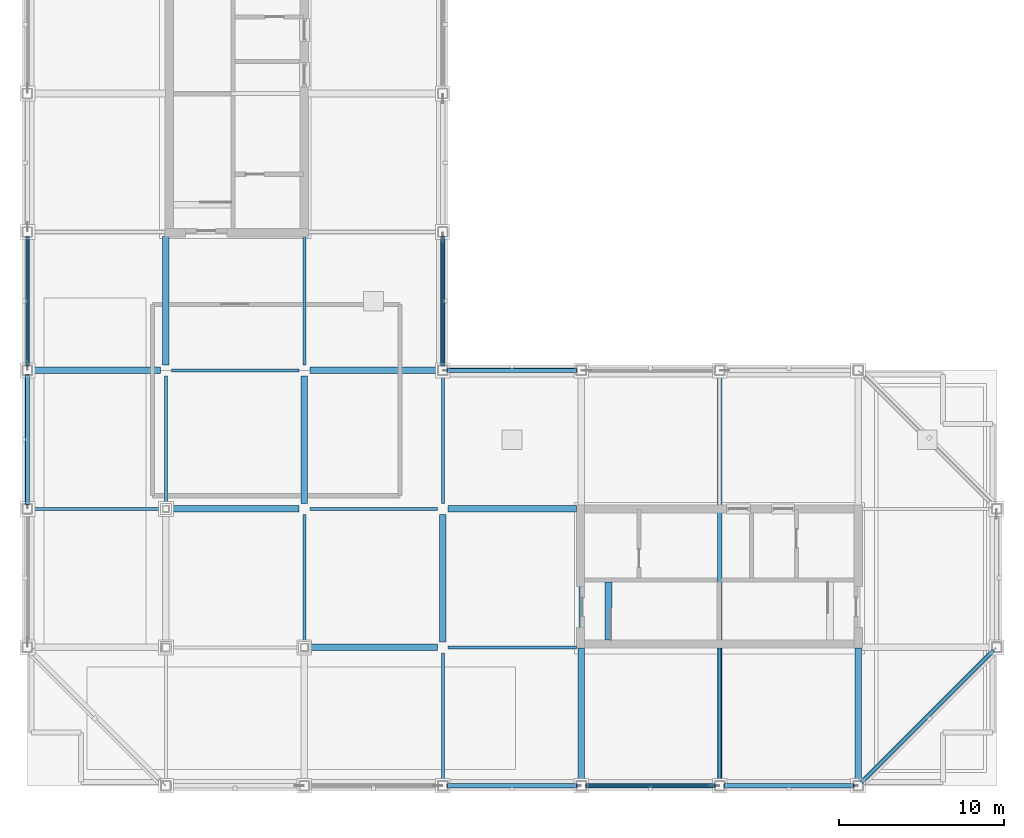
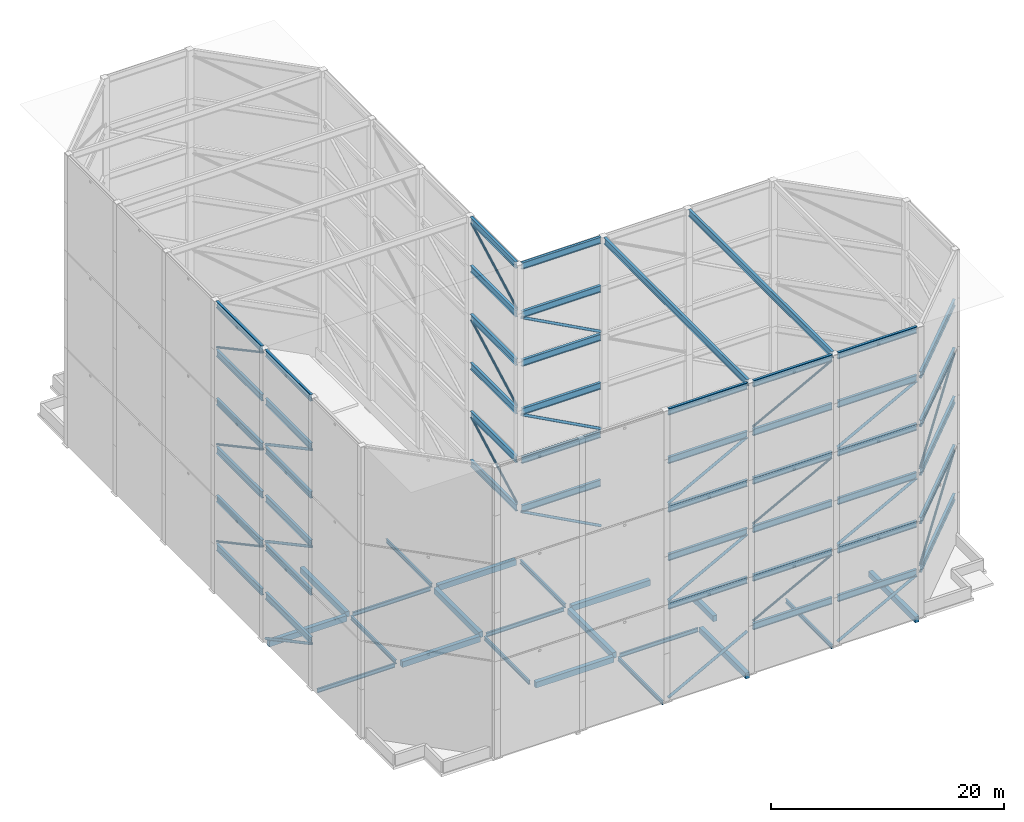
# One storey, part 4 of 17: 69 beams, 23 members.
"""IFC4 building model written with IfcOpenShell, lengths in metres."""

from ifc_helpers import new_model, si_unit, direction, frame, origin, origin_2d, place, context, subcontext, project, spatial, rectangle, hollow_circle, i_section, extrude, material, material_profile, profile_set, type_object, element, save


model = new_model("IFC4")

# Units and contexts
model_context = context("Model", 3, precision=1e-05, world=origin(), true_north=direction((0.0, 1.0)))
body_context = subcontext(model_context, "Body", "Model", "MODEL_VIEW")
ifc_project = project(units=[si_unit("LENGTHUNIT", "METRE"), si_unit("AREAUNIT", "SQUARE_METRE"), si_unit("VOLUMEUNIT", "CUBIC_METRE"), si_unit("PLANEANGLEUNIT", "RADIAN"), si_unit("MASSUNIT", "GRAM", prefix="KILO")], contexts=[model_context])

# Site, building, storey
site_placement = place(None, origin())
site = spatial("IfcSite", under=ifc_project, at=site_placement, CompositionType="ELEMENT")
building_placement = place(site_placement, origin())
building = spatial("IfcBuilding", under=site, at=building_placement, Name="Koriwani Terraces Tower", CompositionType="ELEMENT")
storey_placement = place(building_placement, frame((0.0, 0.0, 374.0)))
storey = spatial("IfcBuildingStorey", under=building, at=storey_placement, Name="RF", CompositionType="ELEMENT", Elevation=374.0)

# Beams
ifc_material_1 = material(Name="Concrete C40/50", Category="concrete")
ifc_material_profile_1 = material_profile(ifc_material_1, rectangle(XDim=0.39990234375, YDim=0.60009765625, at=origin_2d()), Name="Concrete C40/50", Category="LoadBearing")
ifc_profile_set_1 = profile_set([ifc_material_profile_1], Name="Concrete C40/50")
beam_type_1 = type_object("IfcBeamType", Name="BEAM_RC_GRID_400X600", PredefinedType="BEAM", material=ifc_profile_set_1)
beam_1_placement = place(storey_placement, frame((43.655029296875, 17.25, -0.300048828125), z_axis=(0.0, 1.0, 0.0), x_axis=(-1.0, 0.0, 0.0)))
element("IfcBeam", 1, at=beam_1_placement, inside=storey, type_object=beam_type_1, Name="RF Stairwell Header Trimmer Beam ST-E1", PredefinedType="BEAM", context=body_context, shape_type="SweptSolid", body=[
    extrude(rectangle(XDim=0.39990234375, YDim=0.60009765625, at=origin_2d()), origin(), (0.0, 0.0, 1.0), 3.5),
])
beam_2_placement = place(storey_placement, frame((25.530029296875, 16.800048828125, -0.580078125), z_axis=(1.0, 0.0, 0.0), x_axis=(0.0, 1.0, 0.0)))
element("IfcBeam", 2, at=beam_2_placement, inside=storey, type_object=beam_type_1, Name="RF Grid Beam C (25.2-33.6m)", PredefinedType="BEAM", context=body_context, shape_type="SweptSolid", body=[
    extrude(rectangle(XDim=0.39990234375, YDim=0.60009765625, at=origin_2d()), origin(), (0.0, 0.0, 1.0), 7.739990234375),
])
beam_3_placement = place(storey_placement, frame((17.1298828125, 25.199951171875, -0.580078125), z_axis=(1.0, 0.0, 0.0), x_axis=(0.0, 1.0, 0.0)))
element("IfcBeam", 3, at=beam_3_placement, inside=storey, type_object=beam_type_1, Name="RF Grid Beam D (16.8-25.2m)", PredefinedType="BEAM", context=body_context, shape_type="SweptSolid", body=[
    extrude(rectangle(XDim=0.39990234375, YDim=0.60009765625, at=origin_2d()), origin(), (0.0, 0.0, 1.0), 7.740234375),
])
beam_4_placement = place(storey_placement, frame((33.929931640625, 25.199951171875, -0.580078125), z_axis=(1.0, 0.0, 0.0), x_axis=(0.0, 1.0, 0.0)))
element("IfcBeam", 4, at=beam_4_placement, inside=storey, type_object=beam_type_1, Name="RF Grid Beam D (33.6-42.0m)", PredefinedType="BEAM", context=body_context, shape_type="SweptSolid", body=[
    extrude(rectangle(XDim=0.39990234375, YDim=0.60009765625, at=origin_2d()), origin(), (0.0, 0.0, 1.0), 7.7900390625),
])
beam_5_placement = place(storey_placement, frame((8.780029296875, 33.60009765625, -0.580078125), z_axis=(1.0, 0.0, 0.0), x_axis=(0.0, 1.0, 0.0)))
element("IfcBeam", 5, at=beam_5_placement, inside=storey, type_object=beam_type_1, Name="RF Grid Beam E (8.4-16.8m)", PredefinedType="BEAM", context=body_context, shape_type="SweptSolid", body=[
    extrude(rectangle(XDim=0.39990234375, YDim=0.60009765625, at=origin_2d()), origin(), (0.0, 0.0, 1.0), 7.68994140625),
])
beam_6_placement = place(storey_placement, frame((25.530029296875, 33.60009765625, -0.580078125), z_axis=(1.0, 0.0, 0.0), x_axis=(0.0, 1.0, 0.0)))
element("IfcBeam", 6, at=beam_6_placement, inside=storey, type_object=beam_type_1, Name="RF Grid Beam E (25.2-33.6m)", PredefinedType="BEAM", context=body_context, shape_type="SweptSolid", body=[
    extrude(rectangle(XDim=0.39990234375, YDim=0.60009765625, at=origin_2d()), origin(), (0.0, 0.0, 1.0), 7.739990234375),
])
beam_7_placement = place(storey_placement, frame((16.800048828125, 33.929931640625, -0.580078125), z_axis=(0.0, 1.0, 0.0), x_axis=(-1.0, 0.0, 0.0)))
element("IfcBeam", 7, at=beam_7_placement, inside=storey, type_object=beam_type_1, Name="RF Grid Beam 3 (33.6-42.0m)", PredefinedType="BEAM", context=body_context, shape_type="SweptSolid", body=[
    extrude(rectangle(XDim=0.39990234375, YDim=0.60009765625, at=origin_2d()), origin(), (0.0, 0.0, 1.0), 7.7900390625),
])
beam_8_placement = place(storey_placement, frame((25.199951171875, 25.530029296875, -0.580078125), z_axis=(0.0, 1.0, 0.0), x_axis=(-1.0, 0.0, 0.0)))
element("IfcBeam", 8, at=beam_8_placement, inside=storey, type_object=beam_type_1, Name="RF Grid Beam 4 (25.2-33.6m)", PredefinedType="BEAM", context=body_context, shape_type="SweptSolid", body=[
    extrude(rectangle(XDim=0.39990234375, YDim=0.60009765625, at=origin_2d()), origin(), (0.0, 0.0, 1.0), 7.739990234375),
])
beam_9_placement = place(storey_placement, frame((33.60009765625, 17.1298828125, -0.580078125), z_axis=(0.0, 1.0, 0.0), x_axis=(-1.0, 0.0, 0.0)))
element("IfcBeam", 9, at=beam_9_placement, inside=storey, type_object=beam_type_1, Name="RF Grid Beam 5 (16.8-25.2m)", PredefinedType="BEAM", context=body_context, shape_type="SweptSolid", body=[
    extrude(rectangle(XDim=0.39990234375, YDim=0.60009765625, at=origin_2d()), origin(), (0.0, 0.0, 1.0), 7.740234375),
])
for number, where, z_axis, x_axis, name in (
    (10, (42.0, 8.780029296875, -0.580078125), (0.0, 1.0, 0.0), (-1.0, 0.0, 0.0), "RF Grid Beam 6 (8.4-16.8m)"),
    (11, (58.800048828125, 8.780029296875, -0.580078125), (0.0, 1.0, 0.0), (-1.0, 0.0, 0.0), "RF Grid Beam 8 (8.4-16.8m)"),
):
    element("IfcBeam", number, at=place(storey_placement, frame(where, z_axis=z_axis, x_axis=x_axis)), inside=storey, type_object=beam_type_1, Name=name, PredefinedType="BEAM", context=body_context, shape_type="SweptSolid", body=[
        extrude(rectangle(XDim=0.39990234375, YDim=0.60009765625, at=origin_2d()), origin(), (0.0, 0.0, 1.0), 7.989990234375),
    ])
ifc_material_2 = material(Name="Steel ASTM A572 Grade 50", Category="steel")
ifc_material_profile_2 = material_profile(ifc_material_2, i_section(OverallWidth=0.256103515625, OverallDepth=0.693115234375, WebThickness=0.014404296875, FlangeThickness=0.023681640625, at=origin_2d()), Name="Steel ASTM A572 Grade 50", Category="LoadBearing")
ifc_profile_set_2 = profile_set([ifc_material_profile_2], Name="Steel ASTM A572 Grade 50")
beam_type_2 = type_object("IfcBeamType", Name="CROWN_FRAME_BEAM_W690X170", PredefinedType="USERDEFINED", material=ifc_profile_set_2)
for number, where, z_axis, x_axis, name in (
    (12, (33.8798828125, 8.39990234375, 20.013427734375), (1.0, 0.0, 0.0), (0.0, 1.0, 0.0), "CROWN FRAME Tier 4 Ring Beam S03"),
    (13, (42.280029296875, 8.39990234375, 20.013427734375), (1.0, 0.0, 0.0), (0.0, 1.0, 0.0), "CROWN FRAME Tier 4 Ring Beam S04"),
    (14, (50.679931640625, 8.39990234375, 20.013427734375), (1.0, 0.0, 0.0), (0.0, 1.0, 0.0), "CROWN FRAME Tier 4 Ring Beam S05"),
):
    element("IfcBeam", number, at=place(storey_placement, frame(where, z_axis=z_axis, x_axis=x_axis)), inside=storey, type_object=beam_type_2, Name=name, ObjectType="CROWN FRAME", PredefinedType="USERDEFINED", context=body_context, shape_type="SweptSolid", body=[
        extrude(i_section(OverallWidth=0.256103515625, OverallDepth=0.693115234375, WebThickness=0.014404296875, FlangeThickness=0.023681640625, at=origin_2d()), origin(), (0.0, 0.0, 1.0), 7.840087890625),
    ])
beam_10_placement = place(storey_placement, frame((58.998046875, 8.597900390625, 20.013427734375), z_axis=(0.707095996941, 0.707117565267, 0.0), x_axis=(-0.707117565267, 0.707095996941, 0.0)))
element("IfcBeam", 15, at=beam_10_placement, inside=storey, type_object=beam_type_2, Name="CROWN FRAME Tier 4 Ring Beam S06", ObjectType="CROWN FRAME", PredefinedType="USERDEFINED", context=body_context, shape_type="SweptSolid", body=[
    extrude(i_section(OverallWidth=0.256103515625, OverallDepth=0.693115234375, WebThickness=0.014404296875, FlangeThickness=0.023681640625, at=origin_2d()), origin(), (0.0, 0.0, 1.0), 11.3193359375),
])
for number, where, z_axis, x_axis, name in (
    (16, (41.719970703125, 33.60009765625, 20.013427734375), (-1.0, 0.0, 0.0), (0.0, -1.0, 0.0), "CROWN FRAME Tier 4 Ring Beam S11"),
    (17, (33.60009765625, 33.8798828125, 20.013427734375), (0.0, 1.0, 0.0), (-1.0, 0.0, 0.0), "CROWN FRAME Tier 4 Ring Beam S12"),
    (18, (8.39990234375, 41.719970703125, 20.013427734375), (0.0, -1.0, 0.0), (1.0, 0.0, 0.0), "CROWN FRAME Tier 4 Ring Beam S22"),
    (19, (8.39990234375, 33.320068359375, 20.013427734375), (0.0, -1.0, 0.0), (1.0, 0.0, 0.0), "CROWN FRAME Tier 4 Ring Beam S23"),
    (20, (33.8798828125, 8.39990234375, 25.103515625), (1.0, 0.0, 0.0), (0.0, 1.0, 0.0), "CROWN FRAME Tier 5 Ring Beam S03"),
    (21, (42.280029296875, 8.39990234375, 25.103515625), (1.0, 0.0, 0.0), (0.0, 1.0, 0.0), "CROWN FRAME Tier 5 Ring Beam S04"),
    (22, (50.679931640625, 8.39990234375, 25.103515625), (1.0, 0.0, 0.0), (0.0, 1.0, 0.0), "CROWN FRAME Tier 5 Ring Beam S05"),
):
    element("IfcBeam", number, at=place(storey_placement, frame(where, z_axis=z_axis, x_axis=x_axis)), inside=storey, type_object=beam_type_2, Name=name, ObjectType="CROWN FRAME", PredefinedType="USERDEFINED", context=body_context, shape_type="SweptSolid", body=[
        extrude(i_section(OverallWidth=0.256103515625, OverallDepth=0.693115234375, WebThickness=0.014404296875, FlangeThickness=0.023681640625, at=origin_2d()), origin(), (0.0, 0.0, 1.0), 7.840087890625),
    ])
beam_11_placement = place(storey_placement, frame((58.998046875, 8.597900390625, 25.103515625), z_axis=(0.707095996941, 0.707117565267, 0.0), x_axis=(-0.707117565267, 0.707095996941, 0.0)))
element("IfcBeam", 23, at=beam_11_placement, inside=storey, type_object=beam_type_2, Name="CROWN FRAME Tier 5 Ring Beam S06", ObjectType="CROWN FRAME", PredefinedType="USERDEFINED", context=body_context, shape_type="SweptSolid", body=[
    extrude(i_section(OverallWidth=0.256103515625, OverallDepth=0.693115234375, WebThickness=0.014404296875, FlangeThickness=0.023681640625, at=origin_2d()), origin(), (0.0, 0.0, 1.0), 11.3193359375),
])
for number, where, z_axis, x_axis, name in (
    (24, (41.719970703125, 33.60009765625, 25.103515625), (-1.0, 0.0, 0.0), (0.0, -1.0, 0.0), "CROWN FRAME Tier 5 Ring Beam S11"),
    (25, (33.60009765625, 33.8798828125, 25.103515625), (0.0, 1.0, 0.0), (-1.0, 0.0, 0.0), "CROWN FRAME Tier 5 Ring Beam S12"),
    (26, (8.39990234375, 41.719970703125, 25.103515625), (0.0, -1.0, 0.0), (1.0, 0.0, 0.0), "CROWN FRAME Tier 5 Ring Beam S22"),
    (27, (8.39990234375, 33.320068359375, 25.103515625), (0.0, -1.0, 0.0), (1.0, 0.0, 0.0), "CROWN FRAME Tier 5 Ring Beam S23"),
    (28, (33.8798828125, 8.39990234375, 30.193603515625), (1.0, 0.0, 0.0), (0.0, 1.0, 0.0), "CROWN FRAME Tier 6 Ring Beam S03"),
    (29, (42.280029296875, 8.39990234375, 30.193603515625), (1.0, 0.0, 0.0), (0.0, 1.0, 0.0), "CROWN FRAME Tier 6 Ring Beam S04"),
    (30, (50.679931640625, 8.39990234375, 30.193603515625), (1.0, 0.0, 0.0), (0.0, 1.0, 0.0), "CROWN FRAME Tier 6 Ring Beam S05"),
    (31, (41.719970703125, 33.60009765625, 30.193603515625), (-1.0, 0.0, 0.0), (0.0, -1.0, 0.0), "CROWN FRAME Tier 6 Ring Beam S11"),
    (32, (33.60009765625, 33.8798828125, 30.193603515625), (0.0, 1.0, 0.0), (-1.0, 0.0, 0.0), "CROWN FRAME Tier 6 Ring Beam S12"),
    (33, (8.39990234375, 41.719970703125, 30.193603515625), (0.0, -1.0, 0.0), (1.0, 0.0, 0.0), "CROWN FRAME Tier 6 Ring Beam S22"),
    (34, (8.39990234375, 33.320068359375, 30.193603515625), (0.0, -1.0, 0.0), (1.0, 0.0, 0.0), "CROWN FRAME Tier 6 Ring Beam S23"),
):
    element("IfcBeam", number, at=place(storey_placement, frame(where, z_axis=z_axis, x_axis=x_axis)), inside=storey, type_object=beam_type_2, Name=name, ObjectType="CROWN FRAME", PredefinedType="USERDEFINED", context=body_context, shape_type="SweptSolid", body=[
        extrude(i_section(OverallWidth=0.256103515625, OverallDepth=0.693115234375, WebThickness=0.014404296875, FlangeThickness=0.023681640625, at=origin_2d()), origin(), (0.0, 0.0, 1.0), 7.840087890625),
    ])
ifc_material_profile_3 = material_profile(ifc_material_2, i_section(OverallWidth=0.2548828125, OverallDepth=0.695068359375, WebThickness=0.015380859375, FlangeThickness=0.02490234375, at=origin_2d()), Name="Steel ASTM A572 Grade 50", Category="LoadBearing")
ifc_profile_set_3 = profile_set([ifc_material_profile_3], Name="Steel ASTM A572 Grade 50")
beam_type_3 = type_object("IfcBeamType", Name="CROWN_FRAME_BEAM_W690X217", PredefinedType="USERDEFINED", material=ifc_profile_set_3)
for number, where, z_axis, x_axis, name in (
    (35, (42.280029296875, 8.39990234375, 4.742431640625), (1.0, 0.0, 0.0), (0.0, 1.0, 0.0), "CROWN FRAME Tier 1 Ring Beam S04"),
    (36, (50.679931640625, 8.39990234375, 4.742431640625), (1.0, 0.0, 0.0), (0.0, 1.0, 0.0), "CROWN FRAME Tier 1 Ring Beam S05"),
):
    element("IfcBeam", number, at=place(storey_placement, frame(where, z_axis=z_axis, x_axis=x_axis)), inside=storey, type_object=beam_type_3, Name=name, ObjectType="CROWN FRAME", PredefinedType="USERDEFINED", context=body_context, shape_type="SweptSolid", body=[
        extrude(i_section(OverallWidth=0.2548828125, OverallDepth=0.695068359375, WebThickness=0.015380859375, FlangeThickness=0.02490234375, at=origin_2d()), origin(), (0.0, 0.0, 1.0), 7.840087890625),
    ])
beam_12_placement = place(storey_placement, frame((58.998046875, 8.597900390625, 4.742431640625), z_axis=(0.707095996941, 0.707117565267, 0.0), x_axis=(-0.707117565267, 0.707095996941, 0.0)))
element("IfcBeam", 37, at=beam_12_placement, inside=storey, type_object=beam_type_3, Name="CROWN FRAME Tier 1 Ring Beam S06", ObjectType="CROWN FRAME", PredefinedType="USERDEFINED", context=body_context, shape_type="SweptSolid", body=[
    extrude(i_section(OverallWidth=0.2548828125, OverallDepth=0.695068359375, WebThickness=0.015380859375, FlangeThickness=0.02490234375, at=origin_2d()), origin(), (0.0, 0.0, 1.0), 11.3193359375),
])
for number, where, z_axis, x_axis, name in (
    (38, (41.719970703125, 33.60009765625, 4.742431640625), (-1.0, 0.0, 0.0), (0.0, -1.0, 0.0), "CROWN FRAME Tier 1 Ring Beam S11"),
    (39, (33.60009765625, 33.8798828125, 4.742431640625), (0.0, 1.0, 0.0), (-1.0, 0.0, 0.0), "CROWN FRAME Tier 1 Ring Beam S12"),
    (40, (8.39990234375, 41.719970703125, 4.742431640625), (0.0, -1.0, 0.0), (1.0, 0.0, 0.0), "CROWN FRAME Tier 1 Ring Beam S22"),
    (41, (8.39990234375, 33.320068359375, 4.742431640625), (0.0, -1.0, 0.0), (1.0, 0.0, 0.0), "CROWN FRAME Tier 1 Ring Beam S23"),
    (42, (33.8798828125, 8.39990234375, 9.83251953125), (1.0, 0.0, 0.0), (0.0, 1.0, 0.0), "CROWN FRAME Tier 2 Ring Beam S03"),
    (43, (42.280029296875, 8.39990234375, 9.83251953125), (1.0, 0.0, 0.0), (0.0, 1.0, 0.0), "CROWN FRAME Tier 2 Ring Beam S04"),
    (44, (50.679931640625, 8.39990234375, 9.83251953125), (1.0, 0.0, 0.0), (0.0, 1.0, 0.0), "CROWN FRAME Tier 2 Ring Beam S05"),
):
    element("IfcBeam", number, at=place(storey_placement, frame(where, z_axis=z_axis, x_axis=x_axis)), inside=storey, type_object=beam_type_3, Name=name, ObjectType="CROWN FRAME", PredefinedType="USERDEFINED", context=body_context, shape_type="SweptSolid", body=[
        extrude(i_section(OverallWidth=0.2548828125, OverallDepth=0.695068359375, WebThickness=0.015380859375, FlangeThickness=0.02490234375, at=origin_2d()), origin(), (0.0, 0.0, 1.0), 7.840087890625),
    ])
beam_13_placement = place(storey_placement, frame((58.998046875, 8.597900390625, 9.83251953125), z_axis=(0.707095996941, 0.707117565267, 0.0), x_axis=(-0.707117565267, 0.707095996941, 0.0)))
element("IfcBeam", 45, at=beam_13_placement, inside=storey, type_object=beam_type_3, Name="CROWN FRAME Tier 2 Ring Beam S06", ObjectType="CROWN FRAME", PredefinedType="USERDEFINED", context=body_context, shape_type="SweptSolid", body=[
    extrude(i_section(OverallWidth=0.2548828125, OverallDepth=0.695068359375, WebThickness=0.015380859375, FlangeThickness=0.02490234375, at=origin_2d()), origin(), (0.0, 0.0, 1.0), 11.3193359375),
])
for number, where, z_axis, x_axis, name in (
    (46, (41.719970703125, 33.60009765625, 9.83251953125), (-1.0, 0.0, 0.0), (0.0, -1.0, 0.0), "CROWN FRAME Tier 2 Ring Beam S11"),
    (47, (33.60009765625, 33.8798828125, 9.83251953125), (0.0, 1.0, 0.0), (-1.0, 0.0, 0.0), "CROWN FRAME Tier 2 Ring Beam S12"),
    (48, (8.39990234375, 41.719970703125, 9.83251953125), (0.0, -1.0, 0.0), (1.0, 0.0, 0.0), "CROWN FRAME Tier 2 Ring Beam S22"),
    (49, (8.39990234375, 33.320068359375, 9.83251953125), (0.0, -1.0, 0.0), (1.0, 0.0, 0.0), "CROWN FRAME Tier 2 Ring Beam S23"),
    (50, (33.8798828125, 8.39990234375, 14.922607421875), (1.0, 0.0, 0.0), (0.0, 1.0, 0.0), "CROWN FRAME Tier 3 Ring Beam S03"),
    (51, (42.280029296875, 8.39990234375, 14.922607421875), (1.0, 0.0, 0.0), (0.0, 1.0, 0.0), "CROWN FRAME Tier 3 Ring Beam S04"),
    (52, (50.679931640625, 8.39990234375, 14.922607421875), (1.0, 0.0, 0.0), (0.0, 1.0, 0.0), "CROWN FRAME Tier 3 Ring Beam S05"),
):
    element("IfcBeam", number, at=place(storey_placement, frame(where, z_axis=z_axis, x_axis=x_axis)), inside=storey, type_object=beam_type_3, Name=name, ObjectType="CROWN FRAME", PredefinedType="USERDEFINED", context=body_context, shape_type="SweptSolid", body=[
        extrude(i_section(OverallWidth=0.2548828125, OverallDepth=0.695068359375, WebThickness=0.015380859375, FlangeThickness=0.02490234375, at=origin_2d()), origin(), (0.0, 0.0, 1.0), 7.840087890625),
    ])
beam_14_placement = place(storey_placement, frame((58.998046875, 8.597900390625, 14.922607421875), z_axis=(0.707095996941, 0.707117565267, 0.0), x_axis=(-0.707117565267, 0.707095996941, 0.0)))
element("IfcBeam", 53, at=beam_14_placement, inside=storey, type_object=beam_type_3, Name="CROWN FRAME Tier 3 Ring Beam S06", ObjectType="CROWN FRAME", PredefinedType="USERDEFINED", context=body_context, shape_type="SweptSolid", body=[
    extrude(i_section(OverallWidth=0.2548828125, OverallDepth=0.695068359375, WebThickness=0.015380859375, FlangeThickness=0.02490234375, at=origin_2d()), origin(), (0.0, 0.0, 1.0), 11.3193359375),
])
for number, where, z_axis, x_axis, name in (
    (54, (41.719970703125, 33.60009765625, 14.922607421875), (-1.0, 0.0, 0.0), (0.0, -1.0, 0.0), "CROWN FRAME Tier 3 Ring Beam S11"),
    (55, (33.60009765625, 33.8798828125, 14.922607421875), (0.0, 1.0, 0.0), (-1.0, 0.0, 0.0), "CROWN FRAME Tier 3 Ring Beam S12"),
    (56, (8.39990234375, 41.719970703125, 14.922607421875), (0.0, -1.0, 0.0), (1.0, 0.0, 0.0), "CROWN FRAME Tier 3 Ring Beam S22"),
    (57, (8.39990234375, 33.320068359375, 14.922607421875), (0.0, -1.0, 0.0), (1.0, 0.0, 0.0), "CROWN FRAME Tier 3 Ring Beam S23"),
):
    element("IfcBeam", number, at=place(storey_placement, frame(where, z_axis=z_axis, x_axis=x_axis)), inside=storey, type_object=beam_type_3, Name=name, ObjectType="CROWN FRAME", PredefinedType="USERDEFINED", context=body_context, shape_type="SweptSolid", body=[
        extrude(i_section(OverallWidth=0.2548828125, OverallDepth=0.695068359375, WebThickness=0.015380859375, FlangeThickness=0.02490234375, at=origin_2d()), origin(), (0.0, 0.0, 1.0), 7.840087890625),
    ])
for number, where, z_axis, x_axis, name in (
    (58, (42.0, 8.679931640625, 30.1923828125), (0.0, 1.0, 0.0), (-1.0, 0.0, 0.0), "CROWN FRAME Cap Roof Tie Girder X=42.0m"),
    (59, (50.39990234375, 8.679931640625, 30.1923828125), (0.0, 1.0, 0.0), (-1.0, 0.0, 0.0), "CROWN FRAME Cap Roof Tie Girder X=50.4m"),
):
    element("IfcBeam", number, at=place(storey_placement, frame(where, z_axis=z_axis, x_axis=x_axis)), inside=storey, type_object=beam_type_3, Name=name, ObjectType="CROWN FRAME", PredefinedType="USERDEFINED", context=body_context, shape_type="SweptSolid", body=[
        extrude(i_section(OverallWidth=0.2548828125, OverallDepth=0.695068359375, WebThickness=0.015380859375, FlangeThickness=0.02490234375, at=origin_2d()), origin(), (0.0, 0.0, 1.0), 24.64013671875),
    ])

# Members
ifc_material_profile_4 = material_profile(ifc_material_2, hollow_circle(Radius=0.109619140625, WallThickness=0.008056640625, at=origin_2d()), Name="Steel ASTM A572 Grade 50", Category="LoadBearing")
ifc_profile_set_4 = profile_set([ifc_material_profile_4], Name="Steel ASTM A572 Grade 50")
member_type_1 = type_object("IfcMemberType", Name="CROWN_FRAME_BRACE_CHS219X8", PredefinedType="USERDEFINED", material=ifc_profile_set_4)
member_1_placement = place(storey_placement, frame((42.280029296875, 8.39990234375, 5.2900390625), z_axis=(0.880787078054, 0.0, 0.473512537462), x_axis=(0.0, 1.0, 0.0)))
element("IfcMember", 60, at=member_1_placement, inside=storey, type_object=member_type_1, Name="CROWN FRAME Tier 2 Diagonal Brace S04", ObjectType="CROWN FRAME", PredefinedType="USERDEFINED", context=body_context, shape_type="SweptSolid", body=[
    extrude(hollow_circle(Radius=0.109619140625, WallThickness=0.008056640625, at=origin_2d()), origin(), (0.0, 0.0, 1.0), 8.901123046875),
])
member_2_placement = place(storey_placement, frame((58.998046875, 8.597900390625, 5.2900390625), z_axis=(0.66264893706, 0.662669149631, 0.348949830692), x_axis=(-0.707117565267, 0.707095996941, 0.0)))
element("IfcMember", 61, at=member_2_placement, inside=storey, type_object=member_type_1, Name="CROWN FRAME Tier 2 Diagonal Brace S06", ObjectType="CROWN FRAME", PredefinedType="USERDEFINED", context=body_context, shape_type="SweptSolid", body=[
    extrude(hollow_circle(Radius=0.109619140625, WallThickness=0.008056640625, at=origin_2d()), origin(), (0.0, 0.0, 1.0), 12.07861328125),
])
for number, where, z_axis, x_axis, name in (
    (62, (33.60009765625, 33.8798828125, 5.2900390625), (0.0, 0.880787078054, 0.473512537462), (-1.0, 0.0, 0.0), "CROWN FRAME Tier 2 Diagonal Brace S12"),
    (63, (8.39990234375, 41.719970703125, 5.2900390625), (0.0, -0.880787078054, 0.473512537462), (1.0, 0.0, 0.0), "CROWN FRAME Tier 2 Diagonal Brace S22"),
):
    element("IfcMember", number, at=place(storey_placement, frame(where, z_axis=z_axis, x_axis=x_axis)), inside=storey, type_object=member_type_1, Name=name, ObjectType="CROWN FRAME", PredefinedType="USERDEFINED", context=body_context, shape_type="SweptSolid", body=[
        extrude(hollow_circle(Radius=0.109619140625, WallThickness=0.008056640625, at=origin_2d()), origin(), (0.0, 0.0, 1.0), 8.901123046875),
    ])
member_3_placement = place(storey_placement, frame((42.280029296875, 8.39990234375, 15.469970703125), z_axis=(0.880684117229, 0.0, 0.47370400638), x_axis=(0.0, 1.0, 0.0)))
element("IfcMember", 64, at=member_3_placement, inside=storey, type_object=member_type_1, Name="CROWN FRAME Tier 4 Diagonal Brace S04", ObjectType="CROWN FRAME", PredefinedType="USERDEFINED", context=body_context, shape_type="SweptSolid", body=[
    extrude(hollow_circle(Radius=0.109619140625, WallThickness=0.008056640625, at=origin_2d()), origin(), (0.0, 0.0, 1.0), 8.90234375),
])
member_4_placement = place(storey_placement, frame((58.998046875, 8.597900390625, 15.469970703125), z_axis=(0.662606866102, 0.66262707739, 0.349109577788), x_axis=(-0.707117565267, 0.707095996941, 0.0)))
element("IfcMember", 65, at=member_4_placement, inside=storey, type_object=member_type_1, Name="CROWN FRAME Tier 4 Diagonal Brace S06", ObjectType="CROWN FRAME", PredefinedType="USERDEFINED", context=body_context, shape_type="SweptSolid", body=[
    extrude(hollow_circle(Radius=0.109619140625, WallThickness=0.008056640625, at=origin_2d()), origin(), (0.0, 0.0, 1.0), 12.079345703125),
])
for number, where, z_axis, x_axis, name in (
    (66, (33.60009765625, 33.8798828125, 15.469970703125), (0.0, 0.880684117229, 0.47370400638), (-1.0, 0.0, 0.0), "CROWN FRAME Tier 4 Diagonal Brace S12"),
    (67, (8.39990234375, 41.719970703125, 15.469970703125), (0.0, -0.880684117229, 0.47370400638), (1.0, 0.0, 0.0), "CROWN FRAME Tier 4 Diagonal Brace S22"),
    (68, (42.280029296875, 8.39990234375, 25.64990234375), (0.880684117229, 0.0, 0.47370400638), (0.0, 1.0, 0.0), "CROWN FRAME Tier 6 Diagonal Brace S04"),
    (69, (33.60009765625, 33.8798828125, 25.64990234375), (0.0, 0.880684117229, 0.47370400638), (-1.0, 0.0, 0.0), "CROWN FRAME Tier 6 Diagonal Brace S12"),
    (70, (8.39990234375, 41.719970703125, 25.64990234375), (0.0, -0.880684117229, 0.47370400638), (1.0, 0.0, 0.0), "CROWN FRAME Tier 6 Diagonal Brace S22"),
):
    element("IfcMember", number, at=place(storey_placement, frame(where, z_axis=z_axis, x_axis=x_axis)), inside=storey, type_object=member_type_1, Name=name, ObjectType="CROWN FRAME", PredefinedType="USERDEFINED", context=body_context, shape_type="SweptSolid", body=[
        extrude(hollow_circle(Radius=0.109619140625, WallThickness=0.008056640625, at=origin_2d()), origin(), (0.0, 0.0, 1.0), 8.90234375),
    ])
ifc_material_profile_5 = material_profile(ifc_material_2, hollow_circle(Radius=0.136474609375, WallThickness=0.010009765625, at=origin_2d()), Name="Steel ASTM A572 Grade 50", Category="LoadBearing")
ifc_profile_set_5 = profile_set([ifc_material_profile_5], Name="Steel ASTM A572 Grade 50")
member_type_2 = type_object("IfcMemberType", Name="CROWN_FRAME_BRACE_CHS273X10", PredefinedType="USERDEFINED", material=ifc_profile_set_5)
for number, where, z_axis, x_axis, name in (
    (71, (33.8798828125, 8.39990234375, 0.199951171875), (0.880775638829, 0.0, 0.473533815102), (0.0, 1.0, 0.0), "CROWN FRAME Tier 1 Diagonal Brace S03"),
    (72, (50.679931640625, 8.39990234375, 0.199951171875), (0.880775638829, 0.0, 0.473533815102), (0.0, 1.0, 0.0), "CROWN FRAME Tier 1 Diagonal Brace S05"),
    (73, (41.719970703125, 33.60009765625, 0.199951171875), (-0.880775638829, 0.0, 0.473533815102), (0.0, -1.0, 0.0), "CROWN FRAME Tier 1 Diagonal Brace S11"),
    (74, (8.39990234375, 33.320068359375, 0.199951171875), (0.0, -0.880775638829, 0.473533815102), (1.0, 0.0, 0.0), "CROWN FRAME Tier 1 Diagonal Brace S23"),
    (75, (33.8798828125, 8.39990234375, 10.3798828125), (0.880775638829, 0.0, 0.473533815102), (0.0, 1.0, 0.0), "CROWN FRAME Tier 3 Diagonal Brace S03"),
    (76, (50.679931640625, 8.39990234375, 10.3798828125), (0.880775638829, 0.0, 0.473533815102), (0.0, 1.0, 0.0), "CROWN FRAME Tier 3 Diagonal Brace S05"),
    (77, (41.719970703125, 33.60009765625, 10.3798828125), (-0.880775638829, 0.0, 0.473533815102), (0.0, -1.0, 0.0), "CROWN FRAME Tier 3 Diagonal Brace S11"),
    (78, (8.39990234375, 33.320068359375, 10.3798828125), (0.0, -0.880775638829, 0.473533815102), (1.0, 0.0, 0.0), "CROWN FRAME Tier 3 Diagonal Brace S23"),
):
    element("IfcMember", number, at=place(storey_placement, frame(where, z_axis=z_axis, x_axis=x_axis)), inside=storey, type_object=member_type_2, Name=name, ObjectType="CROWN FRAME", PredefinedType="USERDEFINED", context=body_context, shape_type="SweptSolid", body=[
        extrude(hollow_circle(Radius=0.136474609375, WallThickness=0.010009765625, at=origin_2d()), origin(), (0.0, 0.0, 1.0), 8.9013671875),
    ])
for number, where, z_axis, x_axis, name in (
    (79, (33.8798828125, 8.39990234375, 20.56005859375), (0.880684117229, 0.0, 0.47370400638), (0.0, 1.0, 0.0), "CROWN FRAME Tier 5 Diagonal Brace S03"),
    (80, (50.679931640625, 8.39990234375, 20.56005859375), (0.880684117229, 0.0, 0.47370400638), (0.0, 1.0, 0.0), "CROWN FRAME Tier 5 Diagonal Brace S05"),
    (81, (41.719970703125, 33.60009765625, 20.56005859375), (-0.880684117229, 0.0, 0.47370400638), (0.0, -1.0, 0.0), "CROWN FRAME Tier 5 Diagonal Brace S11"),
    (82, (8.39990234375, 33.320068359375, 20.56005859375), (0.0, -0.880684117229, 0.47370400638), (1.0, 0.0, 0.0), "CROWN FRAME Tier 5 Diagonal Brace S23"),
):
    element("IfcMember", number, at=place(storey_placement, frame(where, z_axis=z_axis, x_axis=x_axis)), inside=storey, type_object=member_type_2, Name=name, ObjectType="CROWN FRAME", PredefinedType="USERDEFINED", context=body_context, shape_type="SweptSolid", body=[
        extrude(hollow_circle(Radius=0.136474609375, WallThickness=0.010009765625, at=origin_2d()), origin(), (0.0, 0.0, 1.0), 8.90234375),
    ])

# Beams
ifc_material_profile_6 = material_profile(ifc_material_2, i_section(OverallWidth=0.180908203125, OverallDepth=0.4169921875, WebThickness=0.010986328125, FlangeThickness=0.018310546875, at=origin_2d()), Name="Steel ASTM A572 Grade 50", Category="LoadBearing")
ifc_profile_set_6 = profile_set([ifc_material_profile_6], Name="Steel ASTM A572 Grade 50")
beam_type_4 = type_object("IfcBeamType", Name="STEEL_BEAM_W410X85", PredefinedType="JOIST", material=ifc_profile_set_6)
beam_15_placement = place(storey_placement, frame((33.929931640625, 16.800048828125, -0.488525390625), z_axis=(1.0, 0.0, 0.0), x_axis=(0.0, 1.0, 0.0)))
element("IfcBeam", 83, at=beam_15_placement, inside=storey, type_object=beam_type_4, Name="RF Grid Beam C (33.6-42.0m)", PredefinedType="JOIST", context=body_context, shape_type="SweptSolid", body=[
    extrude(i_section(OverallWidth=0.180908203125, OverallDepth=0.4169921875, WebThickness=0.010986328125, FlangeThickness=0.018310546875, at=origin_2d()), origin(), (0.0, 0.0, 1.0), 7.7900390625),
])
beam_16_placement = place(storey_placement, frame((8.780029296875, 25.199951171875, -0.488525390625), z_axis=(1.0, 0.0, 0.0), x_axis=(0.0, 1.0, 0.0)))
element("IfcBeam", 84, at=beam_16_placement, inside=storey, type_object=beam_type_4, Name="RF Grid Beam D (8.4-16.8m)", PredefinedType="JOIST", context=body_context, shape_type="SweptSolid", body=[
    extrude(i_section(OverallWidth=0.180908203125, OverallDepth=0.4169921875, WebThickness=0.010986328125, FlangeThickness=0.018310546875, at=origin_2d()), origin(), (0.0, 0.0, 1.0), 7.68994140625),
])
beam_17_placement = place(storey_placement, frame((25.530029296875, 25.199951171875, -0.488525390625), z_axis=(1.0, 0.0, 0.0), x_axis=(0.0, 1.0, 0.0)))
element("IfcBeam", 85, at=beam_17_placement, inside=storey, type_object=beam_type_4, Name="RF Grid Beam D (25.2-33.6m)", PredefinedType="JOIST", context=body_context, shape_type="SweptSolid", body=[
    extrude(i_section(OverallWidth=0.180908203125, OverallDepth=0.4169921875, WebThickness=0.010986328125, FlangeThickness=0.018310546875, at=origin_2d()), origin(), (0.0, 0.0, 1.0), 7.739990234375),
])
beam_18_placement = place(storey_placement, frame((17.1298828125, 33.60009765625, -0.488525390625), z_axis=(1.0, 0.0, 0.0), x_axis=(0.0, 1.0, 0.0)))
element("IfcBeam", 86, at=beam_18_placement, inside=storey, type_object=beam_type_4, Name="RF Grid Beam E (16.8-25.2m)", PredefinedType="JOIST", context=body_context, shape_type="SweptSolid", body=[
    extrude(i_section(OverallWidth=0.180908203125, OverallDepth=0.4169921875, WebThickness=0.010986328125, FlangeThickness=0.018310546875, at=origin_2d()), origin(), (0.0, 0.0, 1.0), 7.740234375),
])
beam_19_placement = place(storey_placement, frame((16.800048828125, 25.530029296875, -0.488525390625), z_axis=(0.0, 1.0, 0.0), x_axis=(-1.0, 0.0, 0.0)))
element("IfcBeam", 87, at=beam_19_placement, inside=storey, type_object=beam_type_4, Name="RF Grid Beam 3 (25.2-33.6m)", PredefinedType="JOIST", context=body_context, shape_type="SweptSolid", body=[
    extrude(i_section(OverallWidth=0.180908203125, OverallDepth=0.4169921875, WebThickness=0.010986328125, FlangeThickness=0.018310546875, at=origin_2d()), origin(), (0.0, 0.0, 1.0), 7.739990234375),
])
beam_20_placement = place(storey_placement, frame((25.199951171875, 17.1298828125, -0.488525390625), z_axis=(0.0, 1.0, 0.0), x_axis=(-1.0, 0.0, 0.0)))
element("IfcBeam", 88, at=beam_20_placement, inside=storey, type_object=beam_type_4, Name="RF Grid Beam 4 (16.8-25.2m)", PredefinedType="JOIST", context=body_context, shape_type="SweptSolid", body=[
    extrude(i_section(OverallWidth=0.180908203125, OverallDepth=0.4169921875, WebThickness=0.010986328125, FlangeThickness=0.018310546875, at=origin_2d()), origin(), (0.0, 0.0, 1.0), 7.740234375),
])
beam_21_placement = place(storey_placement, frame((25.199951171875, 33.929931640625, -0.488525390625), z_axis=(0.0, 1.0, 0.0), x_axis=(-1.0, 0.0, 0.0)))
element("IfcBeam", 89, at=beam_21_placement, inside=storey, type_object=beam_type_4, Name="RF Grid Beam 4 (33.6-42.0m)", PredefinedType="JOIST", context=body_context, shape_type="SweptSolid", body=[
    extrude(i_section(OverallWidth=0.180908203125, OverallDepth=0.4169921875, WebThickness=0.010986328125, FlangeThickness=0.018310546875, at=origin_2d()), origin(), (0.0, 0.0, 1.0), 7.7900390625),
])
beam_22_placement = place(storey_placement, frame((33.60009765625, 8.780029296875, -0.488525390625), z_axis=(0.0, 1.0, 0.0), x_axis=(-1.0, 0.0, 0.0)))
element("IfcBeam", 90, at=beam_22_placement, inside=storey, type_object=beam_type_4, Name="RF Grid Beam 5 (8.4-16.8m)", PredefinedType="JOIST", context=body_context, shape_type="SweptSolid", body=[
    extrude(i_section(OverallWidth=0.180908203125, OverallDepth=0.4169921875, WebThickness=0.010986328125, FlangeThickness=0.018310546875, at=origin_2d()), origin(), (0.0, 0.0, 1.0), 7.68994140625),
])
beam_23_placement = place(storey_placement, frame((33.60009765625, 25.530029296875, -0.488525390625), z_axis=(0.0, 1.0, 0.0), x_axis=(-1.0, 0.0, 0.0)))
element("IfcBeam", 91, at=beam_23_placement, inside=storey, type_object=beam_type_4, Name="RF Grid Beam 5 (25.2-33.6m)", PredefinedType="JOIST", context=body_context, shape_type="SweptSolid", body=[
    extrude(i_section(OverallWidth=0.180908203125, OverallDepth=0.4169921875, WebThickness=0.010986328125, FlangeThickness=0.018310546875, at=origin_2d()), origin(), (0.0, 0.0, 1.0), 7.739990234375),
])
beam_24_placement = place(storey_placement, frame((50.39990234375, 8.780029296875, -0.488525390625), z_axis=(0.0, 1.0, 0.0), x_axis=(-1.0, 0.0, 0.0)))
element("IfcBeam", 92, at=beam_24_placement, inside=storey, type_object=beam_type_4, Name="RF Grid Beam 7 (8.4-16.8m)", PredefinedType="JOIST", context=body_context, shape_type="SweptSolid", body=[
    extrude(i_section(OverallWidth=0.180908203125, OverallDepth=0.4169921875, WebThickness=0.010986328125, FlangeThickness=0.018310546875, at=origin_2d()), origin(), (0.0, 0.0, 1.0), 7.989990234375),
])

save(model, "model.ifc")
